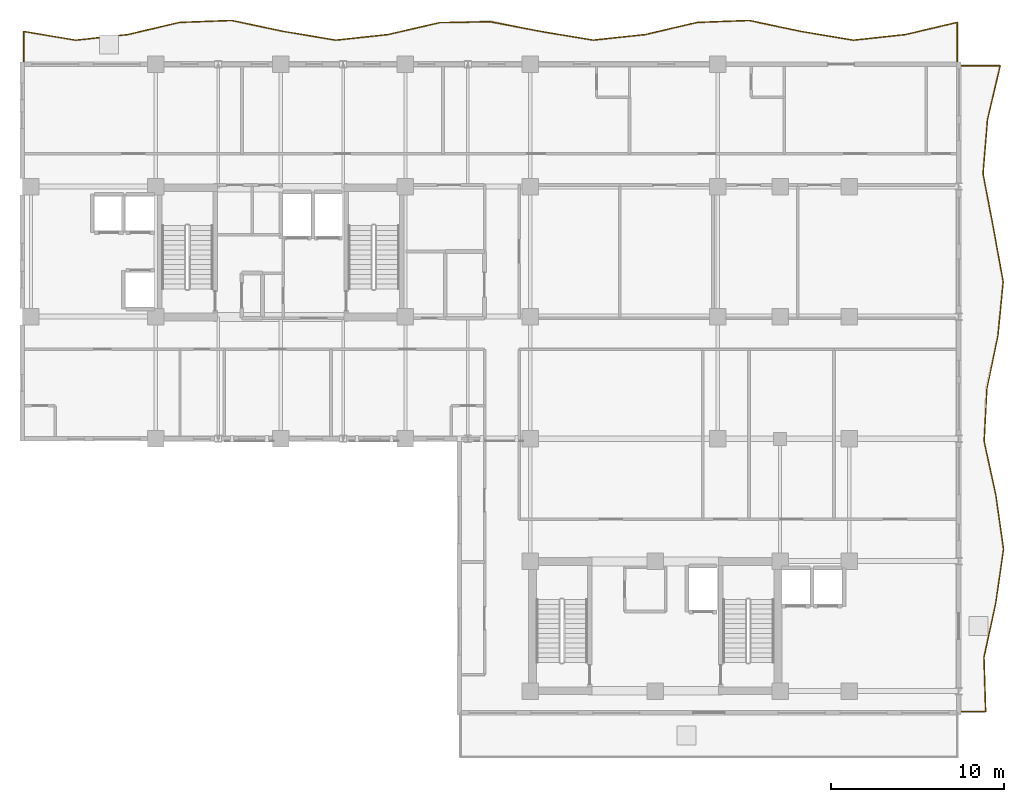
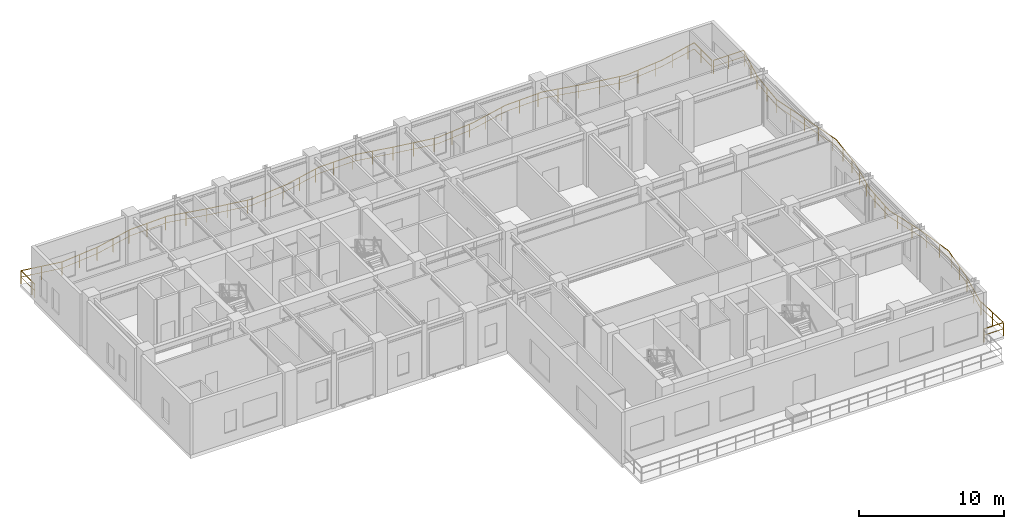
# One storey, part 14 of 14: 2 railings.
"""IFC4 building model written with IfcOpenShell, lengths in metres."""

from ifc_helpers import new_model, si_unit, direction, frame, origin, origin_2d, place, context, subcontext, project, spatial, rectangle, extrude, material, type_object, element, save


model = new_model("IFC4")

# Units and contexts
model_context = context("Model", 3, precision=1e-05, world=origin(), true_north=direction((0.0, 1.0)))
body_context = subcontext(model_context, "Body", "Model", "MODEL_VIEW")
ifc_project = project(units=[si_unit("LENGTHUNIT", "METRE"), si_unit("AREAUNIT", "SQUARE_METRE"), si_unit("VOLUMEUNIT", "CUBIC_METRE"), si_unit("PLANEANGLEUNIT", "RADIAN"), si_unit("MASSUNIT", "GRAM", prefix="KILO")], contexts=[model_context])

# Site, building, storey
site_placement = place(None, origin())
site = spatial("IfcSite", under=ifc_project, at=site_placement, CompositionType="ELEMENT")
building_placement = place(site_placement, origin())
building = spatial("IfcBuilding", under=site, at=building_placement, Name="Kaliganga Portal Commons", CompositionType="ELEMENT")
storey_placement = place(building_placement, frame((0.0, 0.0, 197.199951171875)))
storey = spatial("IfcBuildingStorey", under=building, at=storey_placement, Name="L50", CompositionType="ELEMENT", Elevation=197.199951171875)

# Railings
ifc_material = material(Name="Laminated Safety Glass and Stainless Steel 316", Category="steel")
railing_type = type_object("IfcRailingType", Name="RLG-BAL-1150", PredefinedType="BALUSTRADE", material=ifc_material)
railing_1_placement = place(storey_placement, frame((60.6201171875, 43.205078125, 0.0)))
element("IfcRailing", 1, at=railing_1_placement, inside=storey, type_object=railing_type, Name="Balcony Guardrail L50 balc_north", PredefinedType="BALUSTRADE", context=body_context, shape_type="SweptSolid", body=[
    extrude(rectangle(XDim=0.048095703125, YDim=0.048095703125, at=origin_2d()), frame((0.0, 0.0, 1.1259765625), z_axis=(0.0, 1.0, 0.0), x_axis=(-1.0, 0.0, 0.0)), (0.0, 0.0, 1.0), 2.41455078125),
    extrude(rectangle(XDim=0.028076171875, YDim=0.028076171875, at=origin_2d()), frame((0.0, 0.0, 0.597900390625), z_axis=(0.0, 1.0, 0.0), x_axis=(-1.0, 0.0, 0.0)), (0.0, 0.0, 1.0), 2.41455078125),
    extrude(rectangle(XDim=0.048095703125, YDim=0.048095703125, at=origin_2d()), frame((0.0, 2.41455078125, 1.1259765625), z_axis=(-0.9734929613, -0.228716974225, 0.0), x_axis=(0.228716974225, -0.9734929613, 0.0)), (0.0, 0.0, 1.0), 3.081787109375),
    extrude(rectangle(XDim=0.028076171875, YDim=0.028076171875, at=origin_2d()), frame((0.0, 2.41455078125, 0.597900390625), z_axis=(-0.9734929613, -0.228716974225, 0.0), x_axis=(0.228716974225, -0.9734929613, 0.0)), (0.0, 0.0, 1.0), 3.081787109375),
    extrude(rectangle(XDim=0.048095703125, YDim=0.048095703125, at=origin_2d()), frame((-3.0, 1.709716796875, 1.1259765625), z_axis=(-0.994228059418, -0.10728730524, 0.0), x_axis=(0.10728730524, -0.994228059418, 0.0)), (0.0, 0.0, 1.0), 3.017333984375),
    extrude(rectangle(XDim=0.028076171875, YDim=0.028076171875, at=origin_2d()), frame((-3.0, 1.709716796875, 0.597900390625), z_axis=(-0.994228059418, -0.10728730524, 0.0), x_axis=(0.10728730524, -0.994228059418, 0.0)), (0.0, 0.0, 1.0), 3.017333984375),
    extrude(rectangle(XDim=0.048095703125, YDim=0.048095703125, at=origin_2d()), frame((-6.0, 1.385986328125, 1.1259765625), z_axis=(-0.986171787462, 0.165726297291, 0.0), x_axis=(-0.165726297291, -0.986171787462, 0.0)), (0.0, 0.0, 1.0), 3.0419921875),
    extrude(rectangle(XDim=0.028076171875, YDim=0.028076171875, at=origin_2d()), frame((-6.0, 1.385986328125, 0.597900390625), z_axis=(-0.986171787462, 0.165726297291, 0.0), x_axis=(-0.165726297291, -0.986171787462, 0.0)), (0.0, 0.0, 1.0), 3.0419921875),
    extrude(rectangle(XDim=0.048095703125, YDim=0.048095703125, at=origin_2d()), frame((-9.0, 1.89013671875, 1.1259765625), z_axis=(-0.978372019246, 0.206853068522, 0.0), x_axis=(-0.206853068522, -0.978372019246, 0.0)), (0.0, 0.0, 1.0), 3.06640625),
    extrude(rectangle(XDim=0.028076171875, YDim=0.028076171875, at=origin_2d()), frame((-9.0, 1.89013671875, 0.597900390625), z_axis=(-0.978372019246, 0.206853068522, 0.0), x_axis=(-0.206853068522, -0.978372019246, 0.0)), (0.0, 0.0, 1.0), 3.06640625),
    extrude(rectangle(XDim=0.048095703125, YDim=0.048095703125, at=origin_2d()), frame((-12.0, 2.5244140625, 1.1259765625), z_axis=(-0.999300049869, -0.037408693273, 0.0), x_axis=(0.037408693273, -0.999300049869, 0.0)), (0.0, 0.0, 1.0), 3.002197265625),
    extrude(rectangle(XDim=0.028076171875, YDim=0.028076171875, at=origin_2d()), frame((-12.0, 2.5244140625, 0.597900390625), z_axis=(-0.999300049869, -0.037408693273, 0.0), x_axis=(0.037408693273, -0.999300049869, 0.0)), (0.0, 0.0, 1.0), 3.002197265625),
    extrude(rectangle(XDim=0.048095703125, YDim=0.048095703125, at=origin_2d()), frame((-15.0, 2.412109375, 1.1259765625), z_axis=(-0.97368668242, -0.227890860892, 0.0), x_axis=(0.227890860892, -0.97368668242, 0.0)), (0.0, 0.0, 1.0), 3.0810546875),
    extrude(rectangle(XDim=0.028076171875, YDim=0.028076171875, at=origin_2d()), frame((-15.0, 2.412109375, 0.597900390625), z_axis=(-0.97368668242, -0.227890860892, 0.0), x_axis=(0.227890860892, -0.97368668242, 0.0)), (0.0, 0.0, 1.0), 3.0810546875),
    extrude(rectangle(XDim=0.048095703125, YDim=0.048095703125, at=origin_2d()), frame((-18.0, 1.7099609375, 1.1259765625), z_axis=(-0.99433972557, -0.10624740069, 0.0), x_axis=(0.10624740069, -0.99433972557, 0.0)), (0.0, 0.0, 1.0), 3.01708984375),
    extrude(rectangle(XDim=0.028076171875, YDim=0.028076171875, at=origin_2d()), frame((-18.0, 1.7099609375, 0.597900390625), z_axis=(-0.99433972557, -0.10624740069, 0.0), x_axis=(0.10624740069, -0.99433972557, 0.0)), (0.0, 0.0, 1.0), 3.01708984375),
    extrude(rectangle(XDim=0.048095703125, YDim=0.048095703125, at=origin_2d()), frame((-21.0, 1.389404296875, 1.1259765625), z_axis=(-0.98649787474, 0.163774061236, 0.0), x_axis=(-0.163774061236, -0.98649787474, 0.0)), (0.0, 0.0, 1.0), 3.041015625),
    extrude(rectangle(XDim=0.028076171875, YDim=0.028076171875, at=origin_2d()), frame((-21.0, 1.389404296875, 0.597900390625), z_axis=(-0.98649787474, 0.163774061236, 0.0), x_axis=(-0.163774061236, -0.98649787474, 0.0)), (0.0, 0.0, 1.0), 3.041015625),
    extrude(rectangle(XDim=0.048095703125, YDim=0.048095703125, at=origin_2d()), frame((-24.0, 1.887451171875, 1.1259765625), z_axis=(-0.982039811803, 0.188673813855, 0.0), x_axis=(-0.188673813855, -0.982039811803, 0.0)), (0.0, 0.0, 1.0), 2.9736328125),
    extrude(rectangle(XDim=0.028076171875, YDim=0.028076171875, at=origin_2d()), frame((-24.0, 1.887451171875, 0.597900390625), z_axis=(-0.982039811803, 0.188673813855, 0.0), x_axis=(-0.188673813855, -0.982039811803, 0.0)), (0.0, 0.0, 1.0), 2.9736328125),
    extrude(rectangle(XDim=0.048095703125, YDim=0.048095703125, at=origin_2d()), frame((-26.920166015625, 2.448486328125, 1.1259765625), z_axis=(-0.999860373308, -0.016710292861, 0.0), x_axis=(0.016710292861, -0.999860373308, 0.0)), (0.0, 0.0, 1.0), 2.922119140625),
    extrude(rectangle(XDim=0.028076171875, YDim=0.028076171875, at=origin_2d()), frame((-26.920166015625, 2.448486328125, 0.597900390625), z_axis=(-0.999860373308, -0.016710292861, 0.0), x_axis=(0.016710292861, -0.999860373308, 0.0)), (0.0, 0.0, 1.0), 2.922119140625),
    extrude(rectangle(XDim=0.048095703125, YDim=0.048095703125, at=origin_2d()), frame((-29.841796875, 2.399658203125, 1.1259765625), z_axis=(-0.974566106368, -0.224100210438, 0.0), x_axis=(0.224100210438, -0.974566106368, 0.0)), (0.0, 0.0, 1.0), 3.07666015625),
    extrude(rectangle(XDim=0.028076171875, YDim=0.028076171875, at=origin_2d()), frame((-29.841796875, 2.399658203125, 0.597900390625), z_axis=(-0.974566106368, -0.224100210438, 0.0), x_axis=(0.224100210438, -0.974566106368, 0.0)), (0.0, 0.0, 1.0), 3.07666015625),
    extrude(rectangle(XDim=0.048095703125, YDim=0.048095703125, at=origin_2d()), frame((-32.840087890625, 1.710205078125, 1.1259765625), z_axis=(-0.99428065262, -0.106798800672, 0.0), x_axis=(0.106798800672, -0.99428065262, 0.0)), (0.0, 0.0, 1.0), 3.017578125),
    extrude(rectangle(XDim=0.028076171875, YDim=0.028076171875, at=origin_2d()), frame((-32.840087890625, 1.710205078125, 0.597900390625), z_axis=(-0.99428065262, -0.106798800672, 0.0), x_axis=(0.106798800672, -0.99428065262, 0.0)), (0.0, 0.0, 1.0), 3.017578125),
    extrude(rectangle(XDim=0.048095703125, YDim=0.048095703125, at=origin_2d()), frame((-35.84033203125, 1.387939453125, 1.1259765625), z_axis=(-0.986287413031, 0.165036780434, 0.0), x_axis=(-0.165036780434, -0.986287413031, 0.0)), (0.0, 0.0, 1.0), 3.04150390625),
    extrude(rectangle(XDim=0.028076171875, YDim=0.028076171875, at=origin_2d()), frame((-35.84033203125, 1.387939453125, 0.597900390625), z_axis=(-0.986287413031, 0.165036780434, 0.0), x_axis=(-0.165036780434, -0.986287413031, 0.0)), (0.0, 0.0, 1.0), 3.04150390625),
    extrude(rectangle(XDim=0.048095703125, YDim=0.048095703125, at=origin_2d()), frame((-38.840087890625, 1.889892578125, 1.1259765625), z_axis=(-0.97835931194, 0.206913162318, 0.0), x_axis=(-0.206913162318, -0.97835931194, 0.0)), (0.0, 0.0, 1.0), 3.066650390625),
    extrude(rectangle(XDim=0.028076171875, YDim=0.028076171875, at=origin_2d()), frame((-38.840087890625, 1.889892578125, 0.597900390625), z_axis=(-0.97835931194, 0.206913162318, 0.0), x_axis=(-0.206913162318, -0.97835931194, 0.0)), (0.0, 0.0, 1.0), 3.066650390625),
    extrude(rectangle(XDim=0.048095703125, YDim=0.048095703125, at=origin_2d()), frame((-41.84033203125, 2.5244140625, 1.1259765625), z_axis=(-0.999318171804, -0.03692142334, 0.0), x_axis=(0.03692142334, -0.999318171804, 0.0)), (0.0, 0.0, 1.0), 3.001953125),
    extrude(rectangle(XDim=0.028076171875, YDim=0.028076171875, at=origin_2d()), frame((-41.84033203125, 2.5244140625, 0.597900390625), z_axis=(-0.999318171804, -0.03692142334, 0.0), x_axis=(0.03692142334, -0.999318171804, 0.0)), (0.0, 0.0, 1.0), 3.001953125),
    extrude(rectangle(XDim=0.048095703125, YDim=0.048095703125, at=origin_2d()), frame((-44.84033203125, 2.41357421875, 1.1259765625), z_axis=(-0.973559343349, -0.22843424651, 0.0), x_axis=(0.22843424651, -0.973559343349, 0.0)), (0.0, 0.0, 1.0), 3.081298828125),
    extrude(rectangle(XDim=0.028076171875, YDim=0.028076171875, at=origin_2d()), frame((-44.84033203125, 2.41357421875, 0.597900390625), z_axis=(-0.973559343349, -0.22843424651, 0.0), x_axis=(0.22843424651, -0.973559343349, 0.0)), (0.0, 0.0, 1.0), 3.081298828125),
    extrude(rectangle(XDim=0.048095703125, YDim=0.048095703125, at=origin_2d()), frame((-47.840087890625, 1.709716796875, 1.1259765625), z_axis=(-0.994219425712, -0.107367283359, 0.0), x_axis=(0.107367283359, -0.994219425712, 0.0)), (0.0, 0.0, 1.0), 3.017333984375),
    extrude(rectangle(XDim=0.028076171875, YDim=0.028076171875, at=origin_2d()), frame((-47.840087890625, 1.709716796875, 0.597900390625), z_axis=(-0.994219425712, -0.107367283359, 0.0), x_axis=(0.107367283359, -0.994219425712, 0.0)), (0.0, 0.0, 1.0), 3.017333984375),
    extrude(rectangle(XDim=0.048095703125, YDim=0.048095703125, at=origin_2d()), frame((-50.840087890625, 1.3857421875, 1.1259765625), z_axis=(-0.986158668126, 0.165804346383, 0.0), x_axis=(-0.165804346383, -0.986158668126, 0.0)), (0.0, 0.0, 1.0), 3.0419921875),
    extrude(rectangle(XDim=0.028076171875, YDim=0.028076171875, at=origin_2d()), frame((-50.840087890625, 1.3857421875, 0.597900390625), z_axis=(-0.986158668126, 0.165804346383, 0.0), x_axis=(-0.165804346383, -0.986158668126, 0.0)), (0.0, 0.0, 1.0), 3.0419921875),
    extrude(rectangle(XDim=0.048095703125, YDim=0.048095703125, at=origin_2d()), frame((-53.840087890625, 1.89013671875, 1.1259765625), z_axis=(-0.000129165589, -0.999999991658, 0.0), x_axis=(0.999999991658, -0.000129165589, 0.0)), (0.0, 0.0, 1.0), 1.89013671875),
    extrude(rectangle(XDim=0.028076171875, YDim=0.028076171875, at=origin_2d()), frame((-53.840087890625, 1.89013671875, 0.597900390625), z_axis=(-0.000129165589, -0.999999991658, 0.0), x_axis=(0.999999991658, -0.000129165589, 0.0)), (0.0, 0.0, 1.0), 1.89013671875),
    extrude(rectangle(XDim=0.0419921875, YDim=0.0419921875, at=origin_2d()), origin(), (0.0, 0.0, 1.0), 1.101806640625),
    extrude(rectangle(XDim=0.0419921875, YDim=0.0419921875, at=origin_2d()), frame((0.0, 1.5, 0.0)), (0.0, 0.0, 1.0), 1.101806640625),
    extrude(rectangle(XDim=0.0419921875, YDim=0.0419921875, at=origin_2d()), frame((-0.56982421875, 2.28076171875, 0.0)), (0.0, 0.0, 1.0), 1.101806640625),
    extrude(rectangle(XDim=0.0419921875, YDim=0.0419921875, at=origin_2d()), frame((-2.0302734375, 1.9375, 0.0)), (0.0, 0.0, 1.0), 1.101806640625),
    extrude(rectangle(XDim=0.0419921875, YDim=0.0419921875, at=origin_2d()), frame((-3.5009765625, 1.65576171875, 0.0)), (0.0, 0.0, 1.0), 1.101806640625),
    extrude(rectangle(XDim=0.0419921875, YDim=0.0419921875, at=origin_2d()), frame((-4.9921875, 1.49462890625, 0.0)), (0.0, 0.0, 1.0), 1.101806640625),
    extrude(rectangle(XDim=0.0419921875, YDim=0.0419921875, at=origin_2d()), frame((-6.479736328125, 1.466552734375, 0.0)), (0.0, 0.0, 1.0), 1.101806640625),
    extrude(rectangle(XDim=0.0419921875, YDim=0.0419921875, at=origin_2d()), frame((-7.958984375, 1.715087890625, 0.0)), (0.0, 0.0, 1.0), 1.101806640625),
    extrude(rectangle(XDim=0.0419921875, YDim=0.0419921875, at=origin_2d()), frame((-9.4345703125, 1.98193359375, 0.0)), (0.0, 0.0, 1.0), 1.101806640625),
    extrude(rectangle(XDim=0.0419921875, YDim=0.0419921875, at=origin_2d()), frame((-10.90234375, 2.292236328125, 0.0)), (0.0, 0.0, 1.0), 1.101806640625),
    extrude(rectangle(XDim=0.0419921875, YDim=0.0419921875, at=origin_2d()), frame((-12.377685546875, 2.51025390625, 0.0)), (0.0, 0.0, 1.0), 1.101806640625),
    extrude(rectangle(XDim=0.0419921875, YDim=0.0419921875, at=origin_2d()), frame((-13.876708984375, 2.4541015625, 0.0)), (0.0, 0.0, 1.0), 1.101806640625),
    extrude(rectangle(XDim=0.0419921875, YDim=0.0419921875, at=origin_2d()), frame((-15.365966796875, 2.326416015625, 0.0)), (0.0, 0.0, 1.0), 1.101806640625),
    extrude(rectangle(XDim=0.0419921875, YDim=0.0419921875, at=origin_2d()), frame((-16.826416015625, 1.984619140625, 0.0)), (0.0, 0.0, 1.0), 1.101806640625),
    extrude(rectangle(XDim=0.0419921875, YDim=0.0419921875, at=origin_2d()), frame((-18.293212890625, 1.6787109375, 0.0)), (0.0, 0.0, 1.0), 1.101806640625),
    extrude(rectangle(XDim=0.0419921875, YDim=0.0419921875, at=origin_2d()), frame((-19.78466796875, 1.519287109375, 0.0)), (0.0, 0.0, 1.0), 1.101806640625),
    extrude(rectangle(XDim=0.0419921875, YDim=0.0419921875, at=origin_2d()), frame((-21.27392578125, 1.434814453125, 0.0)), (0.0, 0.0, 1.0), 1.101806640625),
    extrude(rectangle(XDim=0.0419921875, YDim=0.0419921875, at=origin_2d()), frame((-22.753662109375, 1.6806640625, 0.0)), (0.0, 0.0, 1.0), 1.101806640625),
    extrude(rectangle(XDim=0.0419921875, YDim=0.0419921875, at=origin_2d()), frame((-24.232421875, 1.93212890625, 0.0)), (0.0, 0.0, 1.0), 1.101806640625),
    extrude(rectangle(XDim=0.0419921875, YDim=0.0419921875, at=origin_2d()), frame((-25.70556640625, 2.215087890625, 0.0)), (0.0, 0.0, 1.0), 1.101806640625),
    extrude(rectangle(XDim=0.0419921875, YDim=0.0419921875, at=origin_2d()), frame((-27.18310546875, 2.444091796875, 0.0)), (0.0, 0.0, 1.0), 1.101806640625),
    extrude(rectangle(XDim=0.0419921875, YDim=0.0419921875, at=origin_2d()), frame((-28.68310546875, 2.4189453125, 0.0)), (0.0, 0.0, 1.0), 1.101806640625),
    extrude(rectangle(XDim=0.0419921875, YDim=0.0419921875, at=origin_2d()), frame((-30.174072265625, 2.3232421875, 0.0)), (0.0, 0.0, 1.0), 1.101806640625),
    extrude(rectangle(XDim=0.0419921875, YDim=0.0419921875, at=origin_2d()), frame((-31.635986328125, 1.987060546875, 0.0)), (0.0, 0.0, 1.0), 1.101806640625),
    extrude(rectangle(XDim=0.0419921875, YDim=0.0419921875, at=origin_2d()), frame((-33.10302734375, 1.681884765625, 0.0)), (0.0, 0.0, 1.0), 1.101806640625),
    extrude(rectangle(XDim=0.0419921875, YDim=0.0419921875, at=origin_2d()), frame((-34.594482421875, 1.521728515625, 0.0)), (0.0, 0.0, 1.0), 1.101806640625),
    extrude(rectangle(XDim=0.0419921875, YDim=0.0419921875, at=origin_2d()), frame((-36.083984375, 1.4287109375, 0.0)), (0.0, 0.0, 1.0), 1.101806640625),
    extrude(rectangle(XDim=0.0419921875, YDim=0.0419921875, at=origin_2d()), frame((-37.5634765625, 1.67626953125, 0.0)), (0.0, 0.0, 1.0), 1.101806640625),
    extrude(rectangle(XDim=0.0419921875, YDim=0.0419921875, at=origin_2d()), frame((-39.041259765625, 1.932373046875, 0.0)), (0.0, 0.0, 1.0), 1.101806640625),
    extrude(rectangle(XDim=0.0419921875, YDim=0.0419921875, at=origin_2d()), frame((-40.5087890625, 2.24267578125, 0.0)), (0.0, 0.0, 1.0), 1.101806640625),
    extrude(rectangle(XDim=0.0419921875, YDim=0.0419921875, at=origin_2d()), frame((-41.979248046875, 2.519287109375, 0.0)), (0.0, 0.0, 1.0), 1.101806640625),
    extrude(rectangle(XDim=0.0419921875, YDim=0.0419921875, at=origin_2d()), frame((-43.47802734375, 2.4638671875, 0.0)), (0.0, 0.0, 1.0), 1.101806640625),
    extrude(rectangle(XDim=0.0419921875, YDim=0.0419921875, at=origin_2d()), frame((-44.9736328125, 2.38232421875, 0.0)), (0.0, 0.0, 1.0), 1.101806640625),
    extrude(rectangle(XDim=0.0419921875, YDim=0.0419921875, at=origin_2d()), frame((-46.433837890625, 2.03955078125, 0.0)), (0.0, 0.0, 1.0), 1.101806640625),
    extrude(rectangle(XDim=0.0419921875, YDim=0.0419921875, at=origin_2d()), frame((-47.8955078125, 1.703857421875, 0.0)), (0.0, 0.0, 1.0), 1.101806640625),
    extrude(rectangle(XDim=0.0419921875, YDim=0.0419921875, at=origin_2d()), frame((-49.38671875, 1.542724609375, 0.0)), (0.0, 0.0, 1.0), 1.101806640625),
    extrude(rectangle(XDim=0.0419921875, YDim=0.0419921875, at=origin_2d()), frame((-50.877685546875, 1.39208984375, 0.0)), (0.0, 0.0, 1.0), 1.101806640625),
    extrude(rectangle(XDim=0.0419921875, YDim=0.0419921875, at=origin_2d()), frame((-52.35693359375, 1.640869140625, 0.0)), (0.0, 0.0, 1.0), 1.101806640625),
    extrude(rectangle(XDim=0.0419921875, YDim=0.0419921875, at=origin_2d()), frame((-53.840087890625, 1.89013671875, 0.0)), (0.0, 0.0, 1.0), 1.101806640625),
    extrude(rectangle(XDim=0.0419921875, YDim=0.0419921875, at=origin_2d()), frame((-53.84033203125, 0.39404296875, 0.0)), (0.0, 0.0, 1.0), 1.101806640625),
    extrude(rectangle(XDim=0.0419921875, YDim=0.0419921875, at=origin_2d()), frame((-53.84033203125, 0.0, 0.0)), (0.0, 0.0, 1.0), 1.101806640625),
])
railing_2_placement = place(storey_placement, frame((60.707275390625, 5.879638671875, 0.0)))
element("IfcRailing", 2, at=railing_2_placement, inside=storey, type_object=railing_type, Name="Balcony Guardrail L50 balc_east", PredefinedType="BALUSTRADE", context=body_context, shape_type="SweptSolid", body=[
    extrude(rectangle(XDim=0.048095703125, YDim=0.048095703125, at=origin_2d()), frame((0.0, 0.0, 1.1259765625), z_axis=(0.999999987654, 0.000157133876, 0.0), x_axis=(-0.000157133876, 0.999999987654, 0.0)), (0.0, 0.0, 1.0), 1.5537109375),
    extrude(rectangle(XDim=0.028076171875, YDim=0.028076171875, at=origin_2d()), frame((0.0, 0.0, 0.597900390625), z_axis=(0.999999987654, 0.000157133876, 0.0), x_axis=(-0.000157133876, 0.999999987654, 0.0)), (0.0, 0.0, 1.0), 1.5537109375),
    extrude(rectangle(XDim=0.048095703125, YDim=0.048095703125, at=origin_2d()), frame((1.5537109375, 0.000244140625, 1.1259765625), z_axis=(-0.031161422313, 0.999514364959, 0.0), x_axis=(-0.999514364959, -0.031161422313, 0.0)), (0.0, 0.0, 1.0), 3.1181640625),
    extrude(rectangle(XDim=0.028076171875, YDim=0.028076171875, at=origin_2d()), frame((1.5537109375, 0.000244140625, 0.597900390625), z_axis=(-0.031161422313, 0.999514364959, 0.0), x_axis=(-0.999514364959, -0.031161422313, 0.0)), (0.0, 0.0, 1.0), 3.1181640625),
    extrude(rectangle(XDim=0.048095703125, YDim=0.048095703125, at=origin_2d()), frame((1.45654296875, 3.116943359375, 1.1259765625), z_axis=(0.212486844907, 0.977163927262, 0.0), x_axis=(-0.977163927262, 0.212486844907, 0.0)), (0.0, 0.0, 1.0), 3.189453125),
    extrude(rectangle(XDim=0.028076171875, YDim=0.028076171875, at=origin_2d()), frame((1.45654296875, 3.116943359375, 0.597900390625), z_axis=(0.212486844907, 0.977163927262, 0.0), x_axis=(-0.977163927262, 0.212486844907, 0.0)), (0.0, 0.0, 1.0), 3.189453125),
    extrude(rectangle(XDim=0.048095703125, YDim=0.048095703125, at=origin_2d()), frame((2.13427734375, 6.233642578125, 1.1259765625), z_axis=(0.143136298322, 0.989702985801, 0.0), x_axis=(-0.989702985801, 0.143136298322, 0.0)), (0.0, 0.0, 1.0), 3.148681640625),
    extrude(rectangle(XDim=0.028076171875, YDim=0.028076171875, at=origin_2d()), frame((2.13427734375, 6.233642578125, 0.597900390625), z_axis=(0.143136298322, 0.989702985801, 0.0), x_axis=(-0.989702985801, 0.143136298322, 0.0)), (0.0, 0.0, 1.0), 3.148681640625),
    extrude(rectangle(XDim=0.048095703125, YDim=0.048095703125, at=origin_2d()), frame((2.5849609375, 9.349853515625, 1.1259765625), z_axis=(-0.140216075655, 0.990120928033, 0.0), x_axis=(-0.990120928033, -0.140216075655, 0.0)), (0.0, 0.0, 1.0), 3.14794921875),
    extrude(rectangle(XDim=0.028076171875, YDim=0.028076171875, at=origin_2d()), frame((2.5849609375, 9.349853515625, 0.597900390625), z_axis=(-0.140216075655, 0.990120928033, 0.0), x_axis=(-0.990120928033, -0.140216075655, 0.0)), (0.0, 0.0, 1.0), 3.14794921875),
    extrude(rectangle(XDim=0.048095703125, YDim=0.048095703125, at=origin_2d()), frame((2.1435546875, 12.466796875, 1.1259765625), z_axis=(-0.212048251376, 0.977259197495, 0.0), x_axis=(-0.977259197495, -0.212048251376, 0.0)), (0.0, 0.0, 1.0), 3.189208984375),
    extrude(rectangle(XDim=0.028076171875, YDim=0.028076171875, at=origin_2d()), frame((2.1435546875, 12.466796875, 0.597900390625), z_axis=(-0.212048251376, 0.977259197495, 0.0), x_axis=(-0.977259197495, -0.212048251376, 0.0)), (0.0, 0.0, 1.0), 3.189208984375),
    extrude(rectangle(XDim=0.048095703125, YDim=0.048095703125, at=origin_2d()), frame((1.46728515625, 15.58349609375, 1.1259765625), z_axis=(0.051543261486, 0.998670762662, 0.0), x_axis=(-0.998670762662, 0.051543261486, 0.0)), (0.0, 0.0, 1.0), 3.041015625),
    extrude(rectangle(XDim=0.028076171875, YDim=0.028076171875, at=origin_2d()), frame((1.46728515625, 15.58349609375, 0.597900390625), z_axis=(0.051543261486, 0.998670762662, 0.0), x_axis=(-0.998670762662, 0.051543261486, 0.0)), (0.0, 0.0, 1.0), 3.041015625),
    extrude(rectangle(XDim=0.048095703125, YDim=0.048095703125, at=origin_2d()), frame((1.6240234375, 18.620361328125, 1.1259765625), z_axis=(0.204971801062, 0.978767878901, 0.0), x_axis=(-0.978767878901, 0.204971801062, 0.0)), (0.0, 0.0, 1.0), 3.10400390625),
    extrude(rectangle(XDim=0.028076171875, YDim=0.028076171875, at=origin_2d()), frame((1.6240234375, 18.620361328125, 0.597900390625), z_axis=(0.204971801062, 0.978767878901, 0.0), x_axis=(-0.978767878901, 0.204971801062, 0.0)), (0.0, 0.0, 1.0), 3.10400390625),
    extrude(rectangle(XDim=0.048095703125, YDim=0.048095703125, at=origin_2d()), frame((2.26025390625, 21.658447265625, 1.1259765625), z_axis=(0.097241265019, 0.995260838362, 0.0), x_axis=(-0.995260838362, 0.097241265019, 0.0)), (0.0, 0.0, 1.0), 3.130859375),
    extrude(rectangle(XDim=0.028076171875, YDim=0.028076171875, at=origin_2d()), frame((2.26025390625, 21.658447265625, 0.597900390625), z_axis=(0.097241265019, 0.995260838362, 0.0), x_axis=(-0.995260838362, 0.097241265019, 0.0)), (0.0, 0.0, 1.0), 3.130859375),
    extrude(rectangle(XDim=0.048095703125, YDim=0.048095703125, at=origin_2d()), frame((2.564697265625, 24.7744140625, 1.1259765625), z_axis=(-0.178322302073, 0.983972132016, 0.0), x_axis=(-0.983972132016, -0.178322302073, 0.0)), (0.0, 0.0, 1.0), 3.166748046875),
    extrude(rectangle(XDim=0.028076171875, YDim=0.028076171875, at=origin_2d()), frame((2.564697265625, 24.7744140625, 0.597900390625), z_axis=(-0.178322302073, 0.983972132016, 0.0), x_axis=(-0.983972132016, -0.178322302073, 0.0)), (0.0, 0.0, 1.0), 3.166748046875),
    extrude(rectangle(XDim=0.048095703125, YDim=0.048095703125, at=origin_2d()), frame((2.0, 27.890380859375, 1.1259765625), z_axis=(-0.188105429888, 0.982148841697, 0.0), x_axis=(-0.982148841697, -0.188105429888, 0.0)), (0.0, 0.0, 1.0), 3.17333984375),
    extrude(rectangle(XDim=0.028076171875, YDim=0.028076171875, at=origin_2d()), frame((2.0, 27.890380859375, 0.597900390625), z_axis=(-0.188105429888, 0.982148841697, 0.0), x_axis=(-0.982148841697, -0.188105429888, 0.0)), (0.0, 0.0, 1.0), 3.17333984375),
    extrude(rectangle(XDim=0.048095703125, YDim=0.048095703125, at=origin_2d()), frame((1.403076171875, 31.007080078125, 1.1259765625), z_axis=(0.081972919084, 0.996634557166, 0.0), x_axis=(-0.996634557166, 0.081972919084, 0.0)), (0.0, 0.0, 1.0), 3.127197265625),
    extrude(rectangle(XDim=0.028076171875, YDim=0.028076171875, at=origin_2d()), frame((1.403076171875, 31.007080078125, 0.597900390625), z_axis=(0.081972919084, 0.996634557166, 0.0), x_axis=(-0.996634557166, 0.081972919084, 0.0)), (0.0, 0.0, 1.0), 3.127197265625),
    extrude(rectangle(XDim=0.048095703125, YDim=0.048095703125, at=origin_2d()), frame((1.659423828125, 34.123779296875, 1.1259765625), z_axis=(0.22905633379, 0.973413168162, 0.0), x_axis=(-0.973413168162, 0.22905633379, 0.0)), (0.0, 0.0, 1.0), 3.201904296875),
    extrude(rectangle(XDim=0.028076171875, YDim=0.028076171875, at=origin_2d()), frame((1.659423828125, 34.123779296875, 0.597900390625), z_axis=(0.22905633379, 0.973413168162, 0.0), x_axis=(-0.973413168162, 0.22905633379, 0.0)), (0.0, 0.0, 1.0), 3.201904296875),
    extrude(rectangle(XDim=0.048095703125, YDim=0.048095703125, at=origin_2d()), frame((2.392822265625, 37.240478515625, 1.1259765625), z_axis=(-0.999999994795, 0.000102030405, 0.0), x_axis=(-0.000102030405, -0.999999994795, 0.0)), (0.0, 0.0, 1.0), 2.392822265625),
    extrude(rectangle(XDim=0.028076171875, YDim=0.028076171875, at=origin_2d()), frame((2.392822265625, 37.240478515625, 0.597900390625), z_axis=(-0.999999994795, 0.000102030405, 0.0), x_axis=(-0.000102030405, -0.999999994795, 0.0)), (0.0, 0.0, 1.0), 2.392822265625),
    extrude(rectangle(XDim=0.0419921875, YDim=0.0419921875, at=origin_2d()), origin(), (0.0, 0.0, 1.0), 1.101806640625),
    extrude(rectangle(XDim=0.0419921875, YDim=0.0419921875, at=origin_2d()), frame((1.5537109375, 0.000244140625, 0.0)), (0.0, 0.0, 1.0), 1.101806640625),
    extrude(rectangle(XDim=0.0419921875, YDim=0.0419921875, at=origin_2d()), frame((1.508544921875, 1.44580078125, 0.0)), (0.0, 0.0, 1.0), 1.101806640625),
    extrude(rectangle(XDim=0.0419921875, YDim=0.0419921875, at=origin_2d()), frame((1.4619140625, 2.945068359375, 0.0)), (0.0, 0.0, 1.0), 1.101806640625),
    extrude(rectangle(XDim=0.0419921875, YDim=0.0419921875, at=origin_2d()), frame((1.73876953125, 4.414794921875, 0.0)), (0.0, 0.0, 1.0), 1.101806640625),
    extrude(rectangle(XDim=0.0419921875, YDim=0.0419921875, at=origin_2d()), frame((2.057373046875, 5.88037109375, 0.0)), (0.0, 0.0, 1.0), 1.101806640625),
    extrude(rectangle(XDim=0.0419921875, YDim=0.0419921875, at=origin_2d()), frame((2.29736328125, 7.3603515625, 0.0)), (0.0, 0.0, 1.0), 1.101806640625),
    extrude(rectangle(XDim=0.0419921875, YDim=0.0419921875, at=origin_2d()), frame((2.511962890625, 8.844970703125, 0.0)), (0.0, 0.0, 1.0), 1.101806640625),
    extrude(rectangle(XDim=0.0419921875, YDim=0.0419921875, at=origin_2d()), frame((2.446044921875, 10.330078125, 0.0)), (0.0, 0.0, 1.0), 1.101806640625),
    extrude(rectangle(XDim=0.0419921875, YDim=0.0419921875, at=origin_2d()), frame((2.23583984375, 11.815185546875, 0.0)), (0.0, 0.0, 1.0), 1.101806640625),
    extrude(rectangle(XDim=0.0419921875, YDim=0.0419921875, at=origin_2d()), frame((1.965087890625, 13.28955078125, 0.0)), (0.0, 0.0, 1.0), 1.101806640625),
    extrude(rectangle(XDim=0.0419921875, YDim=0.0419921875, at=origin_2d()), frame((1.64697265625, 14.75537109375, 0.0)), (0.0, 0.0, 1.0), 1.101806640625),
    extrude(rectangle(XDim=0.0419921875, YDim=0.0419921875, at=origin_2d()), frame((1.5009765625, 16.2353515625, 0.0)), (0.0, 0.0, 1.0), 1.101806640625),
    extrude(rectangle(XDim=0.0419921875, YDim=0.0419921875, at=origin_2d()), frame((1.578125, 17.733154296875, 0.0)), (0.0, 0.0, 1.0), 1.101806640625),
    extrude(rectangle(XDim=0.0419921875, YDim=0.0419921875, at=origin_2d()), frame((1.74951171875, 19.218994140625, 0.0)), (0.0, 0.0, 1.0), 1.101806640625),
    extrude(rectangle(XDim=0.0419921875, YDim=0.0419921875, at=origin_2d()), frame((2.056884765625, 20.687255859375, 0.0)), (0.0, 0.0, 1.0), 1.101806640625),
    extrude(rectangle(XDim=0.0419921875, YDim=0.0419921875, at=origin_2d()), frame((2.3095703125, 22.163818359375, 0.0)), (0.0, 0.0, 1.0), 1.101806640625),
    extrude(rectangle(XDim=0.0419921875, YDim=0.0419921875, at=origin_2d()), frame((2.45556640625, 23.65673828125, 0.0)), (0.0, 0.0, 1.0), 1.101806640625),
    extrude(rectangle(XDim=0.0419921875, YDim=0.0419921875, at=origin_2d()), frame((2.49755859375, 25.145263671875, 0.0)), (0.0, 0.0, 1.0), 1.101806640625),
    extrude(rectangle(XDim=0.0419921875, YDim=0.0419921875, at=origin_2d()), frame((2.22998046875, 26.621337890625, 0.0)), (0.0, 0.0, 1.0), 1.101806640625),
    extrude(rectangle(XDim=0.0419921875, YDim=0.0419921875, at=origin_2d()), frame((1.96044921875, 28.096923828125, 0.0)), (0.0, 0.0, 1.0), 1.101806640625),
    extrude(rectangle(XDim=0.0419921875, YDim=0.0419921875, at=origin_2d()), frame((1.67822265625, 29.570068359375, 0.0)), (0.0, 0.0, 1.0), 1.101806640625),
    extrude(rectangle(XDim=0.0419921875, YDim=0.0419921875, at=origin_2d()), frame((1.406005859375, 31.0439453125, 0.0)), (0.0, 0.0, 1.0), 1.101806640625),
    extrude(rectangle(XDim=0.0419921875, YDim=0.0419921875, at=origin_2d()), frame((1.529052734375, 32.538818359375, 0.0)), (0.0, 0.0, 1.0), 1.101806640625),
    extrude(rectangle(XDim=0.0419921875, YDim=0.0419921875, at=origin_2d()), frame((1.659423828125, 34.123779296875, 0.0)), (0.0, 0.0, 1.0), 1.101806640625),
    extrude(rectangle(XDim=0.0419921875, YDim=0.0419921875, at=origin_2d()), frame((1.982421875, 35.495849609375, 0.0)), (0.0, 0.0, 1.0), 1.101806640625),
    extrude(rectangle(XDim=0.0419921875, YDim=0.0419921875, at=origin_2d()), frame((2.325927734375, 36.9560546875, 0.0)), (0.0, 0.0, 1.0), 1.101806640625),
    extrude(rectangle(XDim=0.0419921875, YDim=0.0419921875, at=origin_2d()), frame((1.18505859375, 37.24072265625, 0.0)), (0.0, 0.0, 1.0), 1.101806640625),
    extrude(rectangle(XDim=0.0419921875, YDim=0.0419921875, at=origin_2d()), frame((0.0, 37.24072265625, 0.0)), (0.0, 0.0, 1.0), 1.101806640625),
])

save(model, "model.ifc")
